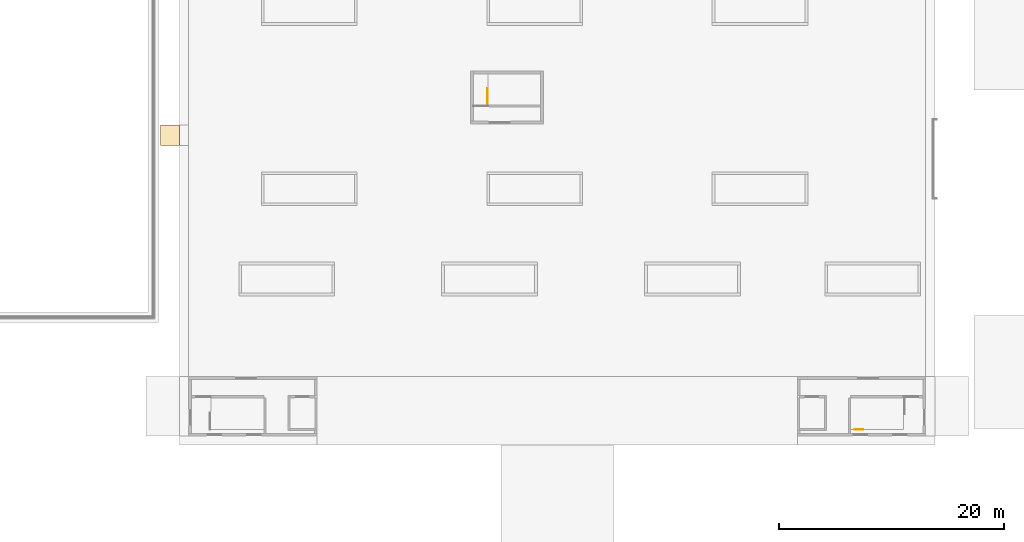
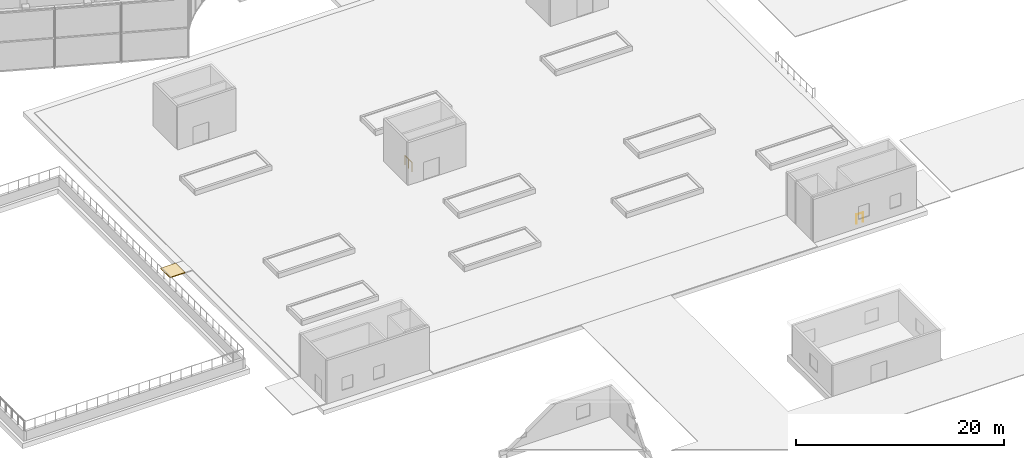
# One storey, part 44 of 60: 2 railings, 1 covering.
"""IFC4 building model written with IfcOpenShell, lengths in metres."""

from ifc_helpers import new_model, si_unit, direction, frame, origin, origin_2d, place, context, subcontext, project, spatial, polyline, circle, outline, extrude, material, layer, layer_set, type_object, element, save


model = new_model("IFC4")

# Units and contexts
model_context = context("Model", 3, precision=1e-05, world=origin(), true_north=direction((0.0, 1.0)))
body_context = subcontext(model_context, "Body", "Model", "MODEL_VIEW")
ifc_project = project(units=[si_unit("LENGTHUNIT", "METRE"), si_unit("AREAUNIT", "SQUARE_METRE"), si_unit("VOLUMEUNIT", "CUBIC_METRE"), si_unit("PLANEANGLEUNIT", "RADIAN"), si_unit("MASSUNIT", "GRAM", prefix="KILO")], contexts=[model_context])

# Site, building, storey
site_placement = place(None, origin())
site = spatial("IfcSite", under=ifc_project, at=site_placement, CompositionType="ELEMENT")
building_placement = place(site_placement, origin())
building = spatial("IfcBuilding", under=site, at=building_placement, Name="Stone Belt Terrace Tower", CompositionType="ELEMENT")
storey_placement = place(building_placement, origin())
storey = spatial("IfcBuildingStorey", under=building, at=storey_placement, Name="L00", CompositionType="ELEMENT", Elevation=0.0)

# Railings
ifc_material_1 = material(Name="Structural steel C345", Category="steel")
railing_type = type_object("IfcRailingType", Name="Car park guard 1100", PredefinedType="GUARDRAIL", material=ifc_material_1)
railing_1_placement = place(storey_placement, frame((-6.199951171875, -21.179931640625, 0.0)))
element("IfcRailing", 1, at=railing_1_placement, inside=storey, type_object=railing_type, Name="L00 CS5 top well guard 1", PredefinedType="GUARDRAIL", context=body_context, shape_type="SweptSolid", body=[
    extrude(circle(Radius=0.02392578125, at=origin_2d()), frame((0.0, 0.0, 1.076171875), z_axis=(0.0, 1.0, 0.0), x_axis=(-1.0, 0.0, 0.0)), (0.0, 0.0, 1.0), 1.329833984375),
    extrude(circle(Radius=0.02099609375, at=origin_2d()), origin(), (0.0, 0.0, 1.0), 1.052001953125),
    extrude(circle(Radius=0.02099609375, at=origin_2d()), frame((0.0, 0.6650390625, 0.0)), (0.0, 0.0, 1.0), 1.052001953125),
    extrude(circle(Radius=0.02099609375, at=origin_2d()), frame((0.0, 1.329833984375, 0.0)), (0.0, 0.0, 1.0), 1.052001953125),
])
railing_2_placement = place(storey_placement, frame((26.39990234375, -50.10009765625, 0.0)))
element("IfcRailing", 2, at=railing_2_placement, inside=storey, type_object=railing_type, Name="Car park stair house guard", PredefinedType="GUARDRAIL", context=body_context, shape_type="SweptSolid", body=[
    extrude(circle(Radius=0.02392578125, at=origin_2d()), frame((0.0, 0.0, 1.076171875), z_axis=(1.0, 0.0, 0.0), x_axis=(0.0, 1.0, 0.0)), (0.0, 0.0, 1.0), 0.75),
    extrude(circle(Radius=0.02099609375, at=origin_2d()), origin(), (0.0, 0.0, 1.0), 1.052001953125),
    extrude(circle(Radius=0.02099609375, at=origin_2d()), frame((0.75, 0.0, 0.0)), (0.0, 0.0, 1.0), 1.052001953125),
])

# Covering
ifc_material_2 = material(Name="Granite paving", Category="masonry")
ifc_layer = layer(ifc_material_2, 0.10009765625)
ifc_layer_set = layer_set([ifc_layer], Name="Paving covering 100")
covering_type = type_object("IfcCoveringType", Name="Paving covering 100", PredefinedType="FLOORING", material=ifc_layer_set)
covering_placement = place(storey_placement, frame((0.0, 0.0, -0.10009765625)))
element("IfcCovering", 3, at=covering_placement, inside=storey, type_object=covering_type, Name="Garden path paving", PredefinedType="FLOORING", context=body_context, shape_type="SweptSolid", body=[
    extrude(outline(polyline([(-35.199951171875, -24.89990234375), (-33.5, -24.89990234375), (-33.5, -23.10009765625), (-35.199951171875, -23.10009765625), (-35.199951171875, -24.89990234375)])), origin(), (0.0, 0.0, 1.0), 0.10009765625),
])

save(model, "model.ifc")
